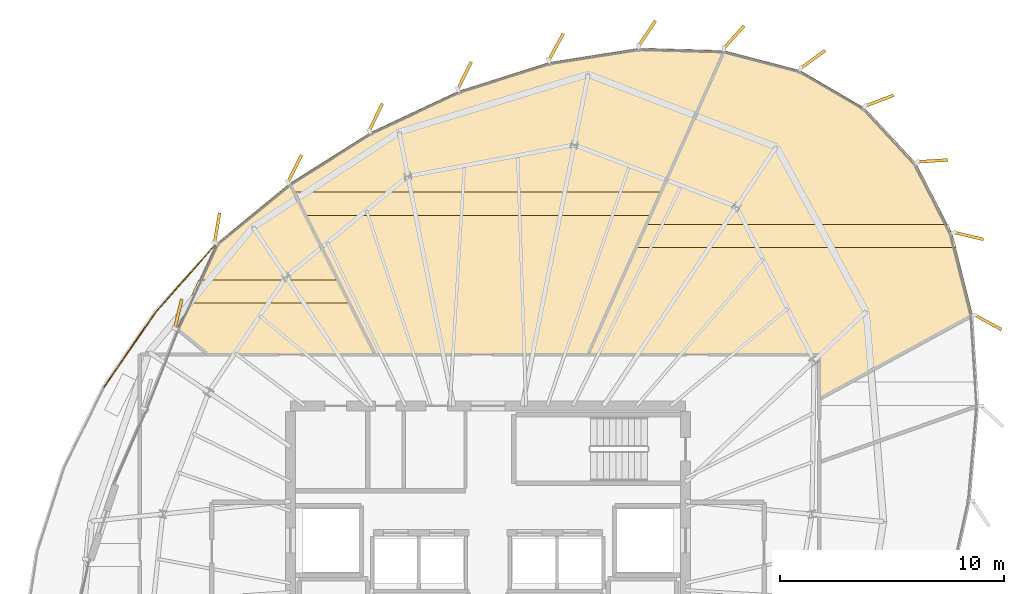
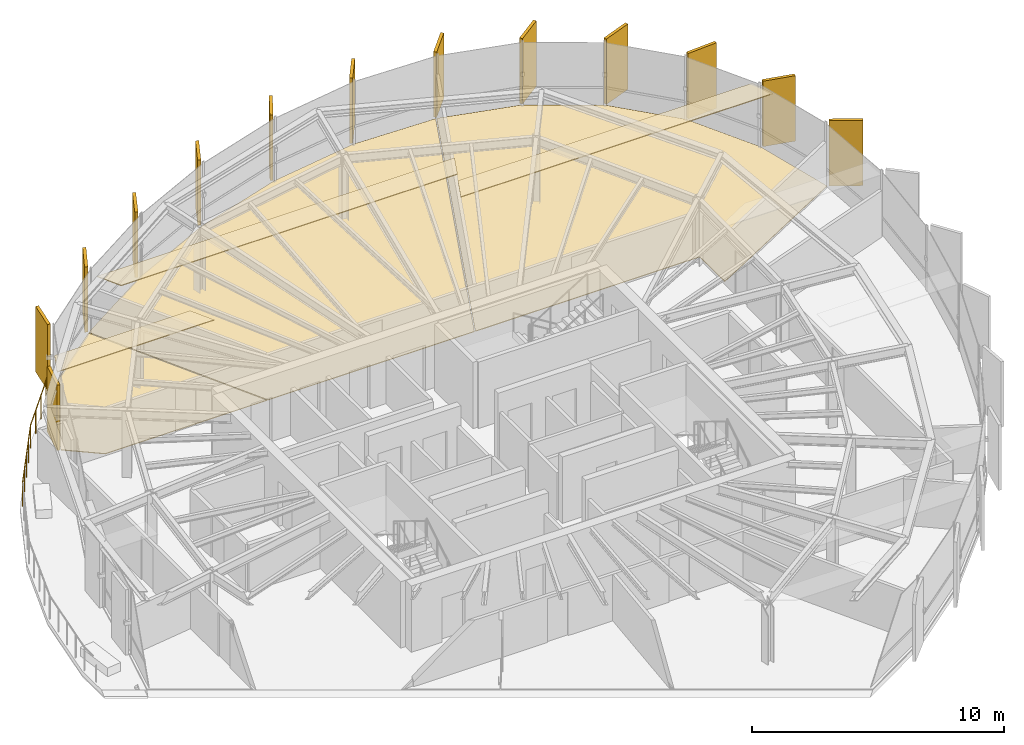
# One storey, part 36 of 36: 19 coverings, 2 railings.
"""IFC4 building model written with IfcOpenShell, lengths in metres."""

from ifc_helpers import new_model, si_unit, direction, frame, origin, origin_2d, place, context, subcontext, project, spatial, polyline, rectangle, circle, outline, extrude, source, transform, mapped, material, layer, layer_set, type_object, element, save


model = new_model("IFC4")

# Units and contexts
model_context = context("Model", 3, precision=1e-05, world=origin(), true_north=direction((0.0, 1.0)))
body_context = subcontext(model_context, "Body", "Model", "MODEL_VIEW")
ifc_project = project(units=[si_unit("LENGTHUNIT", "METRE"), si_unit("AREAUNIT", "SQUARE_METRE"), si_unit("VOLUMEUNIT", "CUBIC_METRE"), si_unit("PLANEANGLEUNIT", "RADIAN"), si_unit("MASSUNIT", "GRAM", prefix="KILO"), si_unit("THERMODYNAMICTEMPERATUREUNIT", "KELVIN")], contexts=[model_context])

# Site, building, storey
site_placement = place(None, origin())
site = spatial("IfcSite", under=ifc_project, at=site_placement, CompositionType="ELEMENT")
building_placement = place(site_placement, origin())
building = spatial("IfcBuilding", under=site, at=building_placement, Name="Kethvar Cultural Tower", CompositionType="ELEMENT")
storey_placement = place(building_placement, frame((0.0, 0.0, 242.199951171875)))
storey = spatial("IfcBuildingStorey", under=building, at=storey_placement, Name="L63", CompositionType="ELEMENT", Elevation=242.199951171875)

# Coverings
ifc_material_1 = material(Name="Acoustic Mineral Fibre Ceiling")
ifc_layer_1 = layer(ifc_material_1, 0.0400390625, Name="Acoustic Mineral Fibre Ceiling")
ifc_layer_set_1 = layer_set([ifc_layer_1], Name="Acoustic Mineral Fibre Ceiling (40 mm)")
covering_type_1 = type_object("IfcCoveringType", Name="CV-ACOUSTIC-CEIL", PredefinedType="CEILING", material=ifc_layer_set_1)
covering_1_placement = place(storey_placement, frame((0.0, 0.0, 2.89013671875)))
element("IfcCovering", 1, at=covering_1_placement, inside=storey, type_object=covering_type_1, Name="L63 Room 09 Acoustic Ceiling Panel", PredefinedType="CEILING", context=body_context, shape_type="SweptSolid", body=[
    extrude(outline(polyline([(67.310302734375, 43.5869140625), (67.672119140625, 42.556884765625), (53.362060546875, 42.556884765625), (53.821533203125, 43.5869140625), (67.310302734375, 43.5869140625)])), origin(), (0.0, 0.0, 1.0), 0.039794921875),
])
covering_2_placement = place(storey_placement, frame((0.0, 0.0, 2.89013671875)))
element("IfcCovering", 2, at=covering_2_placement, inside=storey, type_object=covering_type_1, Name="L63 Room 10 Acoustic Ceiling Panel", PredefinedType="CEILING", context=body_context, shape_type="SweptSolid", body=[
    extrude(outline(polyline([(54.0458984375, 43.9921875), (38.632080078125, 43.9921875), (38.11376953125, 45.022216796875), (54.505615234375, 45.022216796875), (54.0458984375, 43.9921875)])), origin(), (0.0, 0.0, 1.0), 0.039794921875),
])
covering_3_placement = place(storey_placement, frame((0.0, 0.0, 2.89013671875)))
element("IfcCovering", 3, at=covering_3_placement, inside=storey, type_object=covering_type_1, Name="L63 Room 11 Acoustic Ceiling Panel", PredefinedType="CEILING", context=body_context, shape_type="SweptSolid", body=[
    extrude(outline(polyline([(40.643310546875, 40.0830078125), (33.4384765625, 40.0830078125), (33.9169921875, 41.113037109375), (40.125, 41.113037109375), (40.643310546875, 40.0830078125)])), origin(), (0.0, 0.0, 1.0), 0.039794921875),
])
ifc_material_2 = material(Name="Honed Warm Limestone", Category="masonry")
ifc_layer_2 = layer(ifc_material_2, 0.030029296875, Name="Honed Warm Limestone", Category="masonry")
ifc_layer_set_2 = layer_set([ifc_layer_2], Name="Honed Warm Limestone (30 mm)")
covering_type_2 = type_object("IfcCoveringType", Name="CV-STONE-FLOOR", PredefinedType="FLOORING", material=ifc_layer_set_2)
covering_4_placement = place(storey_placement, origin())
element("IfcCovering", 4, at=covering_4_placement, inside=storey, type_object=covering_type_2, Name="L63 Room 09 Floor Finish", PredefinedType="FLOORING", context=body_context, shape_type="SweptSolid", body=[
    extrude(outline(polyline([(60.702392578125, 50.442138671875), (63.58837890625, 48.75537109375), (65.8642578125, 46.306884765625), (67.47265625, 43.1845703125), (68.392822265625, 39.53564453125), (61.583984375, 35.84228515625), (61.56787109375, 37.8125), (51.289306640625, 37.81298828125), (57.318603515625, 51.3271484375), (60.702392578125, 50.442138671875)])), origin(), (0.0, 0.0, 1.0), 0.030029296875),
])
covering_5_placement = place(storey_placement, origin())
element("IfcCovering", 5, at=covering_5_placement, inside=storey, type_object=covering_type_2, Name="L63 Room 10 Floor Finish", PredefinedType="FLOORING", context=body_context, shape_type="SweptSolid", body=[
    extrude(outline(polyline([(41.5888671875, 47.689697265625), (45.50048828125, 49.523193359375), (49.53662109375, 50.802978515625), (53.52880859375, 51.43310546875), (57.276611328125, 51.33154296875), (51.245361328125, 37.81298828125), (41.78515625, 37.81298828125), (37.9658203125, 45.405029296875), (41.5888671875, 47.689697265625)])), origin(), (0.0, 0.0, 1.0), 0.030029296875),
])
covering_6_placement = place(storey_placement, origin())
element("IfcCovering", 6, at=covering_6_placement, inside=storey, type_object=covering_type_2, Name="L63 Room 11 Floor Finish", PredefinedType="FLOORING", context=body_context, shape_type="SweptSolid", body=[
    extrude(outline(polyline([(34.708984375, 42.72314453125), (37.933349609375, 45.380859375), (41.740478515625, 37.81298828125), (34.333740234375, 37.81298828125), (32.945068359375, 38.925537109375), (34.708984375, 42.72314453125)])), origin(), (0.0, 0.0, 1.0), 0.030029296875),
])

# Railings
ifc_material_3 = material(Name="Steel S355J2", Category="steel")
railing_type = type_object("IfcRailingType", Name="RL-EXT-GUARD-1150", PredefinedType="BALUSTRADE", material=ifc_material_3)
railing_1_placement = place(storey_placement, frame((34.692626953125, 42.735595703125, 0.0)))
element("IfcRailing", 7, at=railing_1_placement, inside=storey, type_object=railing_type, Name="L63 Spiralling Terrace Balustrade 01", PredefinedType="BALUSTRADE", context=body_context, shape_type="SweptSolid", body=[
    extrude(circle(Radius=0.02392578125, at=origin_2d()), frame((0.0, 0.0, 1.1259765625), z_axis=(-0.660800089128, -0.750561950946, 0.0), x_axis=(0.750561950946, -0.660800089128, 0.0)), (0.0, 0.0, 1.0), 4.090576171875),
    extrude(circle(Radius=0.02099609375, at=origin_2d()), origin(), (0.0, 0.0, 1.0), 1.101806640625),
    extrude(circle(Radius=0.02099609375, at=origin_2d()), frame((-0.67578125, -0.767578125, 0.0)), (0.0, 0.0, 1.0), 1.101806640625),
    extrude(circle(Radius=0.02099609375, at=origin_2d()), frame((-1.3515625, -1.53515625, 0.0)), (0.0, 0.0, 1.0), 1.101806640625),
    extrude(circle(Radius=0.02099609375, at=origin_2d()), frame((-2.02734375, -2.302734375, 0.0)), (0.0, 0.0, 1.0), 1.101806640625),
    extrude(circle(Radius=0.02099609375, at=origin_2d()), frame((-2.703125, -3.0703125, 0.0)), (0.0, 0.0, 1.0), 1.101806640625),
])
railing_2_placement = place(storey_placement, frame((31.989501953125, 39.665283203125, 0.0)))
element("IfcRailing", 8, at=railing_2_placement, inside=storey, type_object=railing_type, Name="L63 Spiralling Terrace Balustrade 02", PredefinedType="BALUSTRADE", context=body_context, shape_type="SweptSolid", body=[
    extrude(circle(Radius=0.02392578125, at=origin_2d()), frame((0.0, 0.0, 1.1259765625), z_axis=(-0.567924048549, -0.823080965081, 0.0), x_axis=(0.823080965081, -0.567924048549, 0.0)), (0.0, 0.0, 1.0), 4.030029296875),
    extrude(circle(Radius=0.02099609375, at=origin_2d()), origin(), (0.0, 0.0, 1.0), 1.101806640625),
    extrude(circle(Radius=0.02099609375, at=origin_2d()), frame((-0.572265625, -0.829345703125, 0.0)), (0.0, 0.0, 1.0), 1.101806640625),
    extrude(circle(Radius=0.02099609375, at=origin_2d()), frame((-1.14453125, -1.65869140625, 0.0)), (0.0, 0.0, 1.0), 1.101806640625),
    extrude(circle(Radius=0.02099609375, at=origin_2d()), frame((-1.716552734375, -2.48779296875, 0.0)), (0.0, 0.0, 1.0), 1.101806640625),
    extrude(circle(Radius=0.02099609375, at=origin_2d()), frame((-2.288818359375, -3.317138671875, 0.0)), (0.0, 0.0, 1.0), 1.101806640625),
])

# Coverings
ifc_material_4 = material(Name="Extruded Architectural Terracotta", Category="masonry")
ifc_layer_3 = layer(ifc_material_4, 0.135009765625, Name="Extruded Architectural Terracotta", Category="masonry")
ifc_layer_set_3 = layer_set([ifc_layer_3], Name="Extruded Architectural Terracotta (135 mm)")
covering_type_3 = type_object("IfcCoveringType", Name="Terracotta Facade Fin FIN-03", PredefinedType="CLADDING", material=ifc_layer_set_3)
shared_shape = source(origin(), body_context, "Body", "SweptSolid", [
    extrude(rectangle(XDim=1.35009765625, YDim=0.135009765625, at=origin_2d()), origin(), (0.0, 0.0, 1.0), 3.169921875),
])
for number, where, z_axis, x_axis, name in (
    (9, (64.241455078125, 49.09814453125, 0.02001953125), (0.0, 0.0, 1.0), (0.934701663732, 0.355433256487, 0.0), "L63 Vertical Terracotta Fin 1.1"),
    (10, (61.27587890625, 50.93603515625, 0.02001953125), (0.0, 0.0, 1.0), (0.808092705755, 0.589055327542, 0.0), "L63 Vertical Terracotta Fin 1.2"),
    (11, (57.76123046875, 51.93212890625, 0.02001953125), (0.0, 0.0, 1.0), (0.669389972068, 0.742911209563, 0.0), "L63 Vertical Terracotta Fin 1.3"),
    (12, (53.889892578125, 52.093505859375, 0.02001953125), (0.0, 0.0, 1.0), (0.555279961531, 0.831663492238, 0.0), "L63 Vertical Terracotta Fin 1.4"),
    (13, (49.83154296875, 51.4912109375, 0.02001953125), (0.0, 0.0, 1.0), (0.479457860256, 0.877564903719, 0.0), "L63 Vertical Terracotta Fin 1.5"),
    (14, (45.757568359375, 50.219970703125, 0.02001953125), (0.0, 0.0, 1.0), (0.442288690219, 0.896872741533, 0.0), "L63 Vertical Terracotta Fin 1.6"),
    (15, (41.802001953125, 48.362548828125, 0.02001953125), (0.0, 0.0, 1.0), (0.43805738178, 0.898947011936, 0.0), "L63 Vertical Terracotta Fin 2.1"),
    (16, (38.1923828125, 46.076904296875, 0.02001953125), (0.0, 0.0, 1.0), (0.449630816679, 0.893214491985, 0.0), "L63 Vertical Terracotta Fin 2.2"),
    (17, (34.732421875, 43.43505859375, 0.02001953125), (0.0, 0.0, 1.0), (0.166080351041, 0.986112223329, 0.0), "L63 Vertical Terracotta Fin 2.3"),
    (18, (33.004638671875, 39.605224609375, 0.02001953125), (0.0, 0.0, 1.0), (0.234972470325, 0.972002025815, 0.0), "L63 Vertical Terracotta Fin 2.4"),
    (19, (69.08642578125, 39.22216796875, 0.02001953125), (0.0, 0.0, 1.0), (0.878316951403, -0.478078793588, 0.0), "L63 Vertical Terracotta Fin 6.4"),
    (20, (68.2197265625, 43.073974609375, 0.02001953125), (0.0, 0.0, 1.0), (0.97349913407, -0.228690699339, 0.0), "L63 Vertical Terracotta Fin 6.5"),
    (21, (66.613037109375, 46.415771484375, 0.02001953125), (0.0, 0.0, 1.0), (0.99797155335, 0.063661438132, 0.0), "L63 Vertical Terracotta Fin 6.6"),
):
    element("IfcCovering", number, at=place(storey_placement, frame(where, z_axis=z_axis, x_axis=x_axis)), inside=storey, type_object=covering_type_3, Name=name, PredefinedType="CLADDING", context=body_context, shape_type="MappedRepresentation", body=[
        mapped(shared_shape, transform((0.0, 0.0, 0.0), scale=1.0)),
    ])

save(model, "model.ifc")
